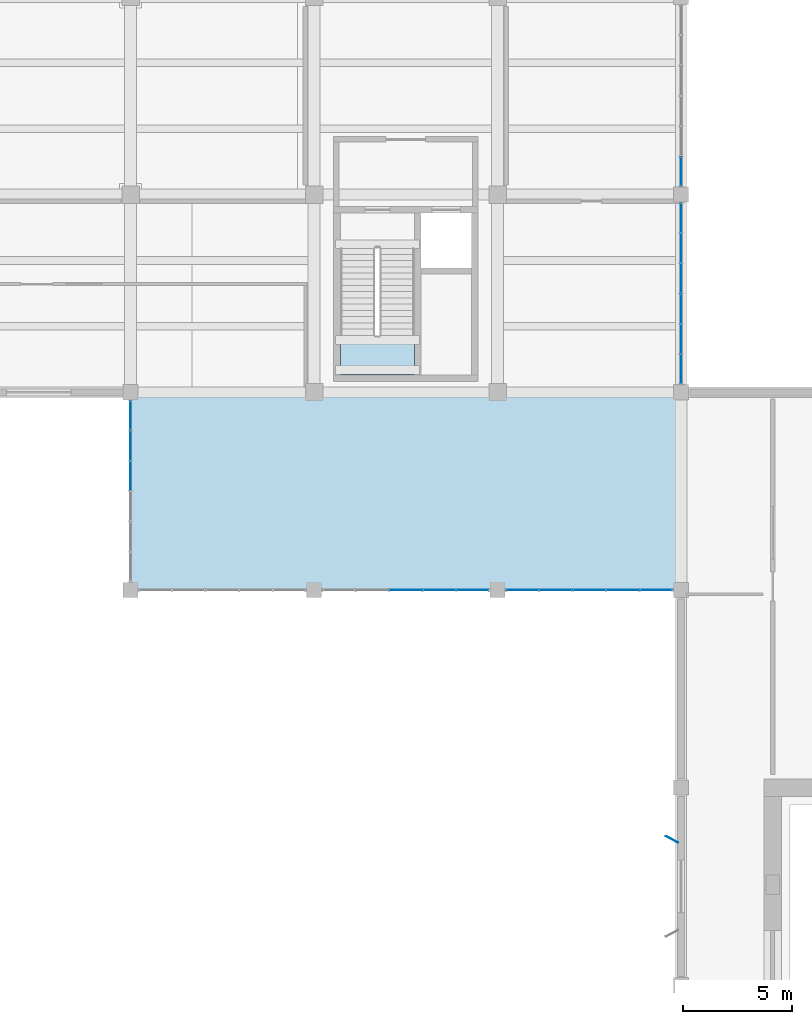
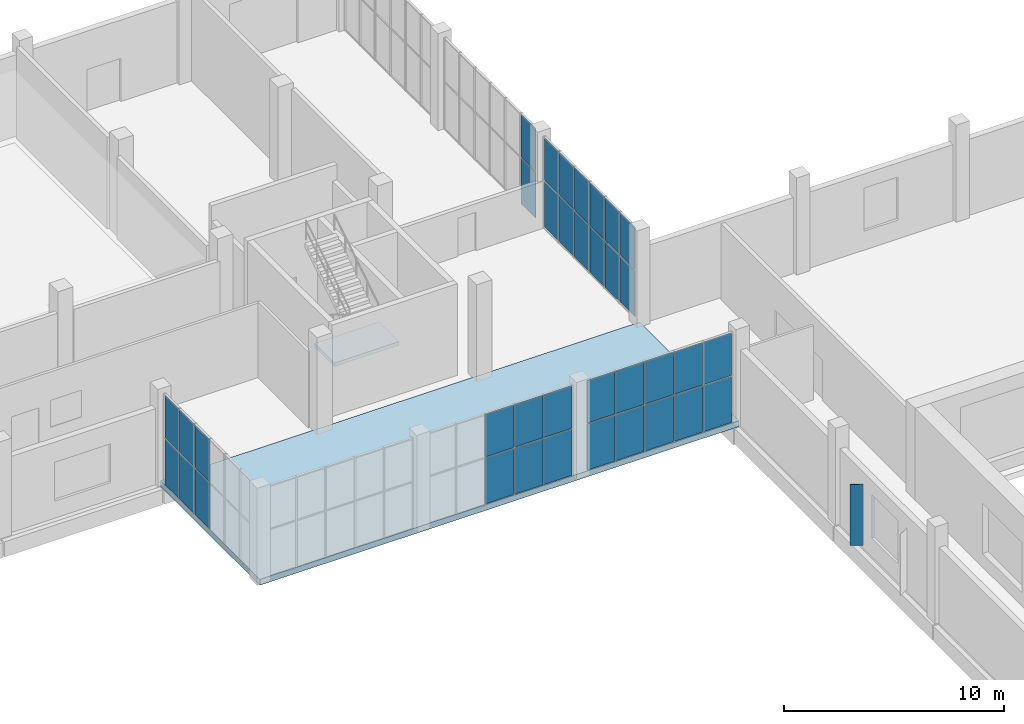
# One storey, part 70 of 91: 37 plates, 2 slabs, 6 elements without a shape of their own.
"""IFC4 building model written with IfcOpenShell, lengths in metres."""

from ifc_helpers import new_model, si_unit, direction, frame, origin, origin_2d, place, context, subcontext, project, spatial, polyline, rectangle, outline, extrude, material, layer, layer_set, type_object, element, aggregate, save


model = new_model("IFC4")

# Units and contexts
model_context = context("Model", 3, precision=1e-05, world=origin(), true_north=direction((0.0, 1.0)))
body_context = subcontext(model_context, "Body", "Model", "MODEL_VIEW")
ifc_project = project(units=[si_unit("LENGTHUNIT", "METRE"), si_unit("AREAUNIT", "SQUARE_METRE"), si_unit("VOLUMEUNIT", "CUBIC_METRE"), si_unit("PLANEANGLEUNIT", "RADIAN"), si_unit("MASSUNIT", "GRAM", prefix="KILO")], contexts=[model_context])

# Site, building, storey
site_placement = place(None, origin())
site = spatial("IfcSite", under=ifc_project, at=site_placement, CompositionType="ELEMENT")
building_placement = place(site_placement, origin())
building = spatial("IfcBuilding", under=site, at=building_placement, Name="Khurvash Pelagic Aquarium", CompositionType="ELEMENT")
storey_placement = place(building_placement, origin())
storey = spatial("IfcBuildingStorey", under=building, at=storey_placement, Name="L00", CompositionType="ELEMENT", Elevation=0.0)

# Curtain wall, plates
ifc_material_1 = material(Name="Anodised aluminium and low-E laminated glass", Category="aluminium")
curtain_wall_type_1 = type_object("IfcCurtainWallType", Name="CW-02", PredefinedType="USERDEFINED", material=ifc_material_1)
curtain_wall_1_placement = place(storey_placement, origin())
curtain_wall_1 = element("IfcCurtainWall", 1, at=curtain_wall_1_placement, inside=storey, type_object=curtain_wall_type_1, Name="L00 Facade Unitised Curtain Wall CW-02 0088", ObjectType="UNITISED CURTAIN WALL", PredefinedType="USERDEFINED")
ifc_material_2 = material(Name="Low-E laminated double glazing", Category="glass")
ifc_layer_1 = layer(ifc_material_2, 0.031982421875)
ifc_layer_set_1 = layer_set([ifc_layer_1], Name="Low-E laminated double glazing")
plate_type_1 = type_object("IfcPlateType", Name="CG-02", PredefinedType="CURTAIN_PANEL", material=ifc_layer_set_1)
plate_1_placement = place(storey_placement, frame((113.39990234375, 75.0, 0.06005859375), z_axis=(0.0, 0.0, 1.0), x_axis=(1.0, 0.0, 0.0)))
plate_1 = element("IfcPlate", 2, at=plate_1_placement, type_object=plate_type_1, Name="CW-02 panel 3.1", PredefinedType="CURTAIN_PANEL", context=body_context, shape_type="SweptSolid", body=[
    extrude(rectangle(XDim=1.47802734375, YDim=0.031982421875, at=origin_2d()), origin(), (0.0, 0.0, 1.0), 2.556884765625),
])
plate_2_placement = place(storey_placement, frame((113.39990234375, 75.0, 2.677001953125), z_axis=(0.0, 0.0, 1.0), x_axis=(1.0, 0.0, 0.0)))
plate_2 = element("IfcPlate", 3, at=plate_2_placement, type_object=plate_type_1, Name="CW-02 panel 3.2", PredefinedType="CURTAIN_PANEL", context=body_context, shape_type="SweptSolid", body=[
    extrude(rectangle(XDim=1.47802734375, YDim=0.031982421875, at=origin_2d()), origin(), (0.0, 0.0, 1.0), 2.35302734375),
])
plate_3_placement = place(storey_placement, frame((114.93798828125, 75.0, 0.06005859375), z_axis=(0.0, 0.0, 1.0), x_axis=(1.0, 0.0, 0.0)))
plate_3 = element("IfcPlate", 4, at=plate_3_placement, type_object=plate_type_1, Name="CW-02 panel 4.1", PredefinedType="CURTAIN_PANEL", context=body_context, shape_type="SweptSolid", body=[
    extrude(rectangle(XDim=1.47802734375, YDim=0.031982421875, at=origin_2d()), origin(), (0.0, 0.0, 1.0), 2.556884765625),
])
plate_4_placement = place(storey_placement, frame((114.93798828125, 75.0, 2.677001953125), z_axis=(0.0, 0.0, 1.0), x_axis=(1.0, 0.0, 0.0)))
plate_4 = element("IfcPlate", 5, at=plate_4_placement, type_object=plate_type_1, Name="CW-02 panel 4.2", PredefinedType="CURTAIN_PANEL", context=body_context, shape_type="SweptSolid", body=[
    extrude(rectangle(XDim=1.47802734375, YDim=0.031982421875, at=origin_2d()), origin(), (0.0, 0.0, 1.0), 2.35302734375),
])
plate_5_placement = place(storey_placement, frame((116.4609375, 75.0, 0.06005859375), z_axis=(0.0, 0.0, 1.0), x_axis=(1.0, 0.0, 0.0)))
plate_5 = element("IfcPlate", 6, at=plate_5_placement, type_object=plate_type_1, Name="CW-02 panel 5.1", PredefinedType="CURTAIN_PANEL", context=body_context, shape_type="SweptSolid", body=[
    extrude(rectangle(XDim=1.447998046875, YDim=0.031982421875, at=origin_2d()), origin(), (0.0, 0.0, 1.0), 2.556884765625),
])
plate_6_placement = place(storey_placement, frame((116.4609375, 75.0, 2.677001953125), z_axis=(0.0, 0.0, 1.0), x_axis=(1.0, 0.0, 0.0)))
plate_6 = element("IfcPlate", 7, at=plate_6_placement, type_object=plate_type_1, Name="CW-02 panel 5.2", PredefinedType="CURTAIN_PANEL", context=body_context, shape_type="SweptSolid", body=[
    extrude(rectangle(XDim=1.447998046875, YDim=0.031982421875, at=origin_2d()), origin(), (0.0, 0.0, 1.0), 2.35302734375),
])
aggregate(curtain_wall_1, [plate_1, plate_2, plate_3, plate_4, plate_5, plate_6])

curtain_wall_2_placement = place(storey_placement, origin())
curtain_wall_2 = element("IfcCurtainWall", 8, at=curtain_wall_2_placement, inside=storey, type_object=curtain_wall_type_1, Name="L00 Facade Unitised Curtain Wall CW-02 0089", ObjectType="UNITISED CURTAIN WALL", PredefinedType="USERDEFINED")
plate_7_placement = place(storey_placement, frame((118.739013671875, 75.0, 0.06005859375), z_axis=(0.0, 0.0, 1.0), x_axis=(1.0, 0.0, 0.0)))
plate_7 = element("IfcPlate", 9, at=plate_7_placement, type_object=plate_type_1, Name="CW-02 panel 1.1", PredefinedType="CURTAIN_PANEL", context=body_context, shape_type="SweptSolid", body=[
    extrude(rectangle(XDim=1.447998046875, YDim=0.031982421875, at=origin_2d()), origin(), (0.0, 0.0, 1.0), 2.556884765625),
])
plate_8_placement = place(storey_placement, frame((118.739013671875, 75.0, 2.677001953125), z_axis=(0.0, 0.0, 1.0), x_axis=(1.0, 0.0, 0.0)))
plate_8 = element("IfcPlate", 10, at=plate_8_placement, type_object=plate_type_1, Name="CW-02 panel 1.2", PredefinedType="CURTAIN_PANEL", context=body_context, shape_type="SweptSolid", body=[
    extrude(rectangle(XDim=1.447998046875, YDim=0.031982421875, at=origin_2d()), origin(), (0.0, 0.0, 1.0), 2.35302734375),
])
plate_9_placement = place(storey_placement, frame((120.261962890625, 75.0, 0.06005859375), z_axis=(0.0, 0.0, 1.0), x_axis=(1.0, 0.0, 0.0)))
plate_9 = element("IfcPlate", 11, at=plate_9_placement, type_object=plate_type_1, Name="CW-02 panel 2.1", PredefinedType="CURTAIN_PANEL", context=body_context, shape_type="SweptSolid", body=[
    extrude(rectangle(XDim=1.47802734375, YDim=0.031982421875, at=origin_2d()), origin(), (0.0, 0.0, 1.0), 2.556884765625),
])
plate_10_placement = place(storey_placement, frame((120.261962890625, 75.0, 2.677001953125), z_axis=(0.0, 0.0, 1.0), x_axis=(1.0, 0.0, 0.0)))
plate_10 = element("IfcPlate", 12, at=plate_10_placement, type_object=plate_type_1, Name="CW-02 panel 2.2", PredefinedType="CURTAIN_PANEL", context=body_context, shape_type="SweptSolid", body=[
    extrude(rectangle(XDim=1.47802734375, YDim=0.031982421875, at=origin_2d()), origin(), (0.0, 0.0, 1.0), 2.35302734375),
])
plate_11_placement = place(storey_placement, frame((121.800048828125, 75.0, 0.06005859375), z_axis=(0.0, 0.0, 1.0), x_axis=(1.0, 0.0, 0.0)))
plate_11 = element("IfcPlate", 13, at=plate_11_placement, type_object=plate_type_1, Name="CW-02 panel 3.1", PredefinedType="CURTAIN_PANEL", context=body_context, shape_type="SweptSolid", body=[
    extrude(rectangle(XDim=1.47802734375, YDim=0.031982421875, at=origin_2d()), origin(), (0.0, 0.0, 1.0), 2.556884765625),
])
plate_12_placement = place(storey_placement, frame((121.800048828125, 75.0, 2.677001953125), z_axis=(0.0, 0.0, 1.0), x_axis=(1.0, 0.0, 0.0)))
plate_12 = element("IfcPlate", 14, at=plate_12_placement, type_object=plate_type_1, Name="CW-02 panel 3.2", PredefinedType="CURTAIN_PANEL", context=body_context, shape_type="SweptSolid", body=[
    extrude(rectangle(XDim=1.47802734375, YDim=0.031982421875, at=origin_2d()), origin(), (0.0, 0.0, 1.0), 2.35302734375),
])
plate_13_placement = place(storey_placement, frame((123.337890625, 75.0, 0.06005859375), z_axis=(0.0, 0.0, 1.0), x_axis=(1.0, 0.0, 0.0)))
plate_13 = element("IfcPlate", 15, at=plate_13_placement, type_object=plate_type_1, Name="CW-02 panel 4.1", PredefinedType="CURTAIN_PANEL", context=body_context, shape_type="SweptSolid", body=[
    extrude(rectangle(XDim=1.47802734375, YDim=0.031982421875, at=origin_2d()), origin(), (0.0, 0.0, 1.0), 2.556884765625),
])
plate_14_placement = place(storey_placement, frame((123.337890625, 75.0, 2.677001953125), z_axis=(0.0, 0.0, 1.0), x_axis=(1.0, 0.0, 0.0)))
plate_14 = element("IfcPlate", 16, at=plate_14_placement, type_object=plate_type_1, Name="CW-02 panel 4.2", PredefinedType="CURTAIN_PANEL", context=body_context, shape_type="SweptSolid", body=[
    extrude(rectangle(XDim=1.47802734375, YDim=0.031982421875, at=origin_2d()), origin(), (0.0, 0.0, 1.0), 2.35302734375),
])
plate_15_placement = place(storey_placement, frame((124.861083984375, 75.0, 0.06005859375), z_axis=(0.0, 0.0, 1.0), x_axis=(1.0, 0.0, 0.0)))
plate_15 = element("IfcPlate", 17, at=plate_15_placement, type_object=plate_type_1, Name="CW-02 panel 5.1", PredefinedType="CURTAIN_PANEL", context=body_context, shape_type="SweptSolid", body=[
    extrude(rectangle(XDim=1.447998046875, YDim=0.031982421875, at=origin_2d()), origin(), (0.0, 0.0, 1.0), 2.556884765625),
])
plate_16_placement = place(storey_placement, frame((124.861083984375, 75.0, 2.677001953125), z_axis=(0.0, 0.0, 1.0), x_axis=(1.0, 0.0, 0.0)))
plate_16 = element("IfcPlate", 18, at=plate_16_placement, type_object=plate_type_1, Name="CW-02 panel 5.2", PredefinedType="CURTAIN_PANEL", context=body_context, shape_type="SweptSolid", body=[
    extrude(rectangle(XDim=1.447998046875, YDim=0.031982421875, at=origin_2d()), origin(), (0.0, 0.0, 1.0), 2.35302734375),
])
aggregate(curtain_wall_2, [plate_7, plate_8, plate_9, plate_10, plate_11, plate_12, plate_13, plate_14, plate_15, plate_16])

curtain_wall_type_2 = type_object("IfcCurtainWallType", Name="CW-05", PredefinedType="USERDEFINED", material=ifc_material_1)
curtain_wall_3_placement = place(storey_placement, origin())
curtain_wall_3 = element("IfcCurtainWall", 19, at=curtain_wall_3_placement, inside=storey, type_object=curtain_wall_type_2, Name="L00 Facade Unitised Curtain Wall CW-05 0061", ObjectType="UNITISED CURTAIN WALL", PredefinedType="USERDEFINED")
ifc_layer_2 = layer(ifc_material_2, 0.033935546875)
ifc_layer_set_2 = layer_set([ifc_layer_2], Name="Low-E laminated double glazing")
plate_type_2 = type_object("IfcPlateType", Name="CG-05", PredefinedType="CURTAIN_PANEL", material=ifc_layer_set_2)
plate_17_placement = place(storey_placement, frame((126.0, 85.114990234375, 0.06005859375), z_axis=(0.0, 0.0, 1.0), x_axis=(0.0, 1.0, 0.0)))
plate_17 = element("IfcPlate", 20, at=plate_17_placement, type_object=plate_type_2, Name="CW-05 panel 1.1", PredefinedType="CURTAIN_PANEL", context=body_context, shape_type="SweptSolid", body=[
    extrude(rectangle(XDim=1.300048828125, YDim=0.033935546875, at=origin_2d()), origin(), (0.0, 0.0, 1.0), 2.556884765625),
])
plate_18_placement = place(storey_placement, frame((126.0, 85.114990234375, 2.677001953125), z_axis=(0.0, 0.0, 1.0), x_axis=(0.0, 1.0, 0.0)))
plate_18 = element("IfcPlate", 21, at=plate_18_placement, type_object=plate_type_2, Name="CW-05 panel 1.2", PredefinedType="CURTAIN_PANEL", context=body_context, shape_type="SweptSolid", body=[
    extrude(rectangle(XDim=1.300048828125, YDim=0.033935546875, at=origin_2d()), origin(), (0.0, 0.0, 1.0), 2.35302734375),
])
plate_19_placement = place(storey_placement, frame((126.0, 86.489990234375, 0.06005859375), z_axis=(0.0, 0.0, 1.0), x_axis=(0.0, 1.0, 0.0)))
plate_19 = element("IfcPlate", 22, at=plate_19_placement, type_object=plate_type_2, Name="CW-05 panel 2.1", PredefinedType="CURTAIN_PANEL", context=body_context, shape_type="SweptSolid", body=[
    extrude(rectangle(XDim=1.330078125, YDim=0.033935546875, at=origin_2d()), origin(), (0.0, 0.0, 1.0), 2.556884765625),
])
plate_20_placement = place(storey_placement, frame((126.0, 86.489990234375, 2.677001953125), z_axis=(0.0, 0.0, 1.0), x_axis=(0.0, 1.0, 0.0)))
plate_20 = element("IfcPlate", 23, at=plate_20_placement, type_object=plate_type_2, Name="CW-05 panel 2.2", PredefinedType="CURTAIN_PANEL", context=body_context, shape_type="SweptSolid", body=[
    extrude(rectangle(XDim=1.330078125, YDim=0.033935546875, at=origin_2d()), origin(), (0.0, 0.0, 1.0), 2.35302734375),
])
plate_21_placement = place(storey_placement, frame((126.0, 87.8798828125, 0.06005859375), z_axis=(0.0, 0.0, 1.0), x_axis=(0.0, 1.0, 0.0)))
plate_21 = element("IfcPlate", 24, at=plate_21_placement, type_object=plate_type_2, Name="CW-05 panel 3.1", PredefinedType="CURTAIN_PANEL", context=body_context, shape_type="SweptSolid", body=[
    extrude(rectangle(XDim=1.330078125, YDim=0.033935546875, at=origin_2d()), origin(), (0.0, 0.0, 1.0), 2.556884765625),
])
plate_22_placement = place(storey_placement, frame((126.0, 87.8798828125, 2.677001953125), z_axis=(0.0, 0.0, 1.0), x_axis=(0.0, 1.0, 0.0)))
plate_22 = element("IfcPlate", 25, at=plate_22_placement, type_object=plate_type_2, Name="CW-05 panel 3.2", PredefinedType="CURTAIN_PANEL", context=body_context, shape_type="SweptSolid", body=[
    extrude(rectangle(XDim=1.330078125, YDim=0.033935546875, at=origin_2d()), origin(), (0.0, 0.0, 1.0), 2.35302734375),
])
plate_23_placement = place(storey_placement, frame((126.0, 89.27001953125, 0.06005859375), z_axis=(0.0, 0.0, 1.0), x_axis=(0.0, 1.0, 0.0)))
plate_23 = element("IfcPlate", 26, at=plate_23_placement, type_object=plate_type_2, Name="CW-05 panel 4.1", PredefinedType="CURTAIN_PANEL", context=body_context, shape_type="SweptSolid", body=[
    extrude(rectangle(XDim=1.330078125, YDim=0.033935546875, at=origin_2d()), origin(), (0.0, 0.0, 1.0), 2.556884765625),
])
plate_24_placement = place(storey_placement, frame((126.0, 89.27001953125, 2.677001953125), z_axis=(0.0, 0.0, 1.0), x_axis=(0.0, 1.0, 0.0)))
plate_24 = element("IfcPlate", 27, at=plate_24_placement, type_object=plate_type_2, Name="CW-05 panel 4.2", PredefinedType="CURTAIN_PANEL", context=body_context, shape_type="SweptSolid", body=[
    extrude(rectangle(XDim=1.330078125, YDim=0.033935546875, at=origin_2d()), origin(), (0.0, 0.0, 1.0), 2.35302734375),
])
plate_25_placement = place(storey_placement, frame((126.0, 90.659912109375, 0.06005859375), z_axis=(0.0, 0.0, 1.0), x_axis=(0.0, 1.0, 0.0)))
plate_25 = element("IfcPlate", 28, at=plate_25_placement, type_object=plate_type_2, Name="CW-05 panel 5.1", PredefinedType="CURTAIN_PANEL", context=body_context, shape_type="SweptSolid", body=[
    extrude(rectangle(XDim=1.330078125, YDim=0.033935546875, at=origin_2d()), origin(), (0.0, 0.0, 1.0), 2.556884765625),
])
plate_26_placement = place(storey_placement, frame((126.0, 90.659912109375, 2.677001953125), z_axis=(0.0, 0.0, 1.0), x_axis=(0.0, 1.0, 0.0)))
plate_26 = element("IfcPlate", 29, at=plate_26_placement, type_object=plate_type_2, Name="CW-05 panel 5.2", PredefinedType="CURTAIN_PANEL", context=body_context, shape_type="SweptSolid", body=[
    extrude(rectangle(XDim=1.330078125, YDim=0.033935546875, at=origin_2d()), origin(), (0.0, 0.0, 1.0), 2.35302734375),
])
plate_27_placement = place(storey_placement, frame((126.0, 92.034912109375, 0.06005859375), z_axis=(0.0, 0.0, 1.0), x_axis=(0.0, 1.0, 0.0)))
plate_27 = element("IfcPlate", 30, at=plate_27_placement, type_object=plate_type_2, Name="CW-05 panel 6.1", PredefinedType="CURTAIN_PANEL", context=body_context, shape_type="SweptSolid", body=[
    extrude(rectangle(XDim=1.300048828125, YDim=0.033935546875, at=origin_2d()), origin(), (0.0, 0.0, 1.0), 2.556884765625),
])
plate_28_placement = place(storey_placement, frame((126.0, 92.034912109375, 2.677001953125), z_axis=(0.0, 0.0, 1.0), x_axis=(0.0, 1.0, 0.0)))
plate_28 = element("IfcPlate", 31, at=plate_28_placement, type_object=plate_type_2, Name="CW-05 panel 6.2", PredefinedType="CURTAIN_PANEL", context=body_context, shape_type="SweptSolid", body=[
    extrude(rectangle(XDim=1.300048828125, YDim=0.033935546875, at=origin_2d()), origin(), (0.0, 0.0, 1.0), 2.35302734375),
])
aggregate(curtain_wall_3, [plate_17, plate_18, plate_19, plate_20, plate_21, plate_22, plate_23, plate_24, plate_25, plate_26, plate_27, plate_28])

curtain_wall_4_placement = place(storey_placement, origin())
curtain_wall_4 = element("IfcCurtainWall", 32, at=curtain_wall_4_placement, inside=storey, type_object=curtain_wall_type_2, Name="L00 Facade Unitised Curtain Wall CW-05 0062", ObjectType="UNITISED CURTAIN WALL", PredefinedType="USERDEFINED")
plate_29_placement = place(storey_placement, frame((126.0, 94.1650390625, 0.06005859375), z_axis=(0.0, 0.0, 1.0), x_axis=(0.0, 1.0, 0.0)))
plate_29 = element("IfcPlate", 33, at=plate_29_placement, type_object=plate_type_2, Name="CW-05 panel 1.1", PredefinedType="CURTAIN_PANEL", context=body_context, shape_type="SweptSolid", body=[
    extrude(rectangle(XDim=1.300048828125, YDim=0.033935546875, at=origin_2d()), origin(), (0.0, 0.0, 1.0), 2.556884765625),
])
plate_30_placement = place(storey_placement, frame((126.0, 94.1650390625, 2.677001953125), z_axis=(0.0, 0.0, 1.0), x_axis=(0.0, 1.0, 0.0)))
plate_30 = element("IfcPlate", 34, at=plate_30_placement, type_object=plate_type_2, Name="CW-05 panel 1.2", PredefinedType="CURTAIN_PANEL", context=body_context, shape_type="SweptSolid", body=[
    extrude(rectangle(XDim=1.300048828125, YDim=0.033935546875, at=origin_2d()), origin(), (0.0, 0.0, 1.0), 2.35302734375),
])
aggregate(curtain_wall_4, [plate_29, plate_30])

curtain_wall_5_placement = place(storey_placement, origin())
curtain_wall_5 = element("IfcCurtainWall", 35, at=curtain_wall_5_placement, inside=storey, type_object=curtain_wall_type_2, Name="L00 Facade Unitised Curtain Wall CW-05 0086", ObjectType="UNITISED CURTAIN WALL", PredefinedType="USERDEFINED")
plate_31_placement = place(storey_placement, frame((100.800048828125, 82.985107421875, 0.06005859375), z_axis=(0.0, 0.0, 1.0), x_axis=(0.0, -1.0, 0.0)))
plate_31 = element("IfcPlate", 36, at=plate_31_placement, type_object=plate_type_2, Name="CW-05 panel 1.1", PredefinedType="CURTAIN_PANEL", context=body_context, shape_type="SweptSolid", body=[
    extrude(rectangle(XDim=1.300048828125, YDim=0.033935546875, at=origin_2d()), origin(), (0.0, 0.0, 1.0), 2.556884765625),
])
plate_32_placement = place(storey_placement, frame((100.800048828125, 82.985107421875, 2.677001953125), z_axis=(0.0, 0.0, 1.0), x_axis=(0.0, -1.0, 0.0)))
plate_32 = element("IfcPlate", 37, at=plate_32_placement, type_object=plate_type_2, Name="CW-05 panel 1.2", PredefinedType="CURTAIN_PANEL", context=body_context, shape_type="SweptSolid", body=[
    extrude(rectangle(XDim=1.300048828125, YDim=0.033935546875, at=origin_2d()), origin(), (0.0, 0.0, 1.0), 2.35302734375),
])
plate_33_placement = place(storey_placement, frame((100.800048828125, 81.610107421875, 0.06005859375), z_axis=(0.0, 0.0, 1.0), x_axis=(0.0, -1.0, 0.0)))
plate_33 = element("IfcPlate", 38, at=plate_33_placement, type_object=plate_type_2, Name="CW-05 panel 2.1", PredefinedType="CURTAIN_PANEL", context=body_context, shape_type="SweptSolid", body=[
    extrude(rectangle(XDim=1.330078125, YDim=0.033935546875, at=origin_2d()), origin(), (0.0, 0.0, 1.0), 2.556884765625),
])
plate_34_placement = place(storey_placement, frame((100.800048828125, 81.610107421875, 2.677001953125), z_axis=(0.0, 0.0, 1.0), x_axis=(0.0, -1.0, 0.0)))
plate_34 = element("IfcPlate", 39, at=plate_34_placement, type_object=plate_type_2, Name="CW-05 panel 2.2", PredefinedType="CURTAIN_PANEL", context=body_context, shape_type="SweptSolid", body=[
    extrude(rectangle(XDim=1.330078125, YDim=0.033935546875, at=origin_2d()), origin(), (0.0, 0.0, 1.0), 2.35302734375),
])
plate_35_placement = place(storey_placement, frame((100.800048828125, 80.219970703125, 0.06005859375), z_axis=(0.0, 0.0, 1.0), x_axis=(0.0, -1.0, 0.0)))
plate_35 = element("IfcPlate", 40, at=plate_35_placement, type_object=plate_type_2, Name="CW-05 panel 3.1", PredefinedType="CURTAIN_PANEL", context=body_context, shape_type="SweptSolid", body=[
    extrude(rectangle(XDim=1.330078125, YDim=0.033935546875, at=origin_2d()), origin(), (0.0, 0.0, 1.0), 2.556884765625),
])
plate_36_placement = place(storey_placement, frame((100.800048828125, 80.219970703125, 2.677001953125), z_axis=(0.0, 0.0, 1.0), x_axis=(0.0, -1.0, 0.0)))
plate_36 = element("IfcPlate", 41, at=plate_36_placement, type_object=plate_type_2, Name="CW-05 panel 3.2", PredefinedType="CURTAIN_PANEL", context=body_context, shape_type="SweptSolid", body=[
    extrude(rectangle(XDim=1.330078125, YDim=0.033935546875, at=origin_2d()), origin(), (0.0, 0.0, 1.0), 2.35302734375),
])
aggregate(curtain_wall_5, [plate_31, plate_32, plate_33, plate_34, plate_35, plate_36])

# Slab
ifc_material_3 = material(Name="Concrete C40/50", Category="concrete")
ifc_layer_3 = layer(ifc_material_3, 0.320068359375)
ifc_layer_set_3 = layer_set([ifc_layer_3], Name="Concrete C40/50")
slab_type_1 = type_object("IfcSlabType", Name="FS-320", PredefinedType="FLOOR", material=ifc_layer_set_3)
slab_1_placement = place(storey_placement, frame((0.0, 0.0, -0.320068359375)))
element("IfcSlab", 42, at=slab_1_placement, inside=storey, type_object=slab_type_1, Name="L00 Structural Floor Slab FS-320 V1_NLINK.1", PredefinedType="FLOOR", context=body_context, shape_type="SweptSolid", body=[
    extrude(outline(polyline([(126.0, 84.050048828125), (103.60009765625, 84.050048828125), (100.800048828125, 84.050048828125), (100.800048828125, 75.0), (126.0, 75.0), (126.0, 84.050048828125)])), origin(), (0.0, 0.0, 1.0), 0.320068359375),
])

# Stair, slab
ifc_material_4 = material(Name="Concrete C35/45", Category="concrete")
stair_type = type_object("IfcStairType", Name="ST-06", PredefinedType="HALF_TURN_STAIR", material=ifc_material_4)
stair_placement = place(storey_placement, origin())
stair = element("IfcStair", 43, at=stair_placement, inside=storey, type_object=stair_type, Name="L00 Protected Exit Stair ST-06", PredefinedType="HALF_TURN_STAIR")
ifc_layer_4 = layer(ifc_material_4, 0.199951171875)
ifc_layer_set_4 = layer_set([ifc_layer_4], Name="Concrete C35/45")
slab_type_2 = type_object("IfcSlabType", Name="SL-LND-200", PredefinedType="LANDING", material=ifc_layer_set_4)
slab_2_placement = place(storey_placement, frame((0.0, 0.0, 2.5)))
slab_2 = element("IfcSlab", 44, at=slab_2_placement, type_object=slab_type_2, Name="ST-06 landing 1", PredefinedType="LANDING", context=body_context, shape_type="SweptSolid", body=[
    extrude(outline(polyline([(110.39990234375, 86.659912109375), (110.39990234375, 84.85009765625), (113.800048828125, 84.85009765625), (113.800048828125, 86.659912109375), (110.39990234375, 86.659912109375)])), origin(), (0.0, 0.0, 1.0), 0.199951171875),
])
aggregate(stair, [slab_2])

# Plate
ifc_material_5 = material(Name="Anodised aluminium AW-5005", Category="aluminium")
ifc_layer_5 = layer(ifc_material_5, 0.02392578125)
ifc_layer_set_5 = layer_set([ifc_layer_5], Name="Anodised aluminium AW-5005")
plate_type_3 = type_object("IfcPlateType", Name="SP-01", PredefinedType="SHEET", material=ifc_layer_set_5)
plate_37_placement = place(storey_placement, frame((125.592041015625, 63.574951171875, 0.150146484375), z_axis=(0.0, 0.0, 1.0), x_axis=(-0.882947592859, 0.469471562786, 0.0)))
element("IfcPlate", 45, at=plate_37_placement, inside=storey, type_object=plate_type_3, Name="L00 Parametric Folded Aluminium Solar Screen Fin SP-01 0123", PredefinedType="SHEET", context=body_context, shape_type="SweptSolid", body=[
    extrude(rectangle(XDim=0.6201171875, YDim=0.02392578125, at=origin_2d()), origin(), (0.0, 0.0, 1.0), 3.39990234375),
])

save(model, "model.ifc")
